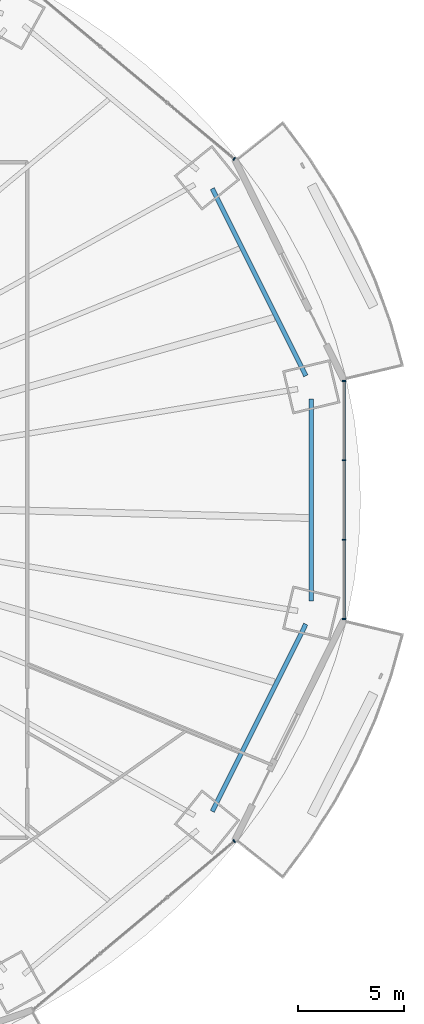
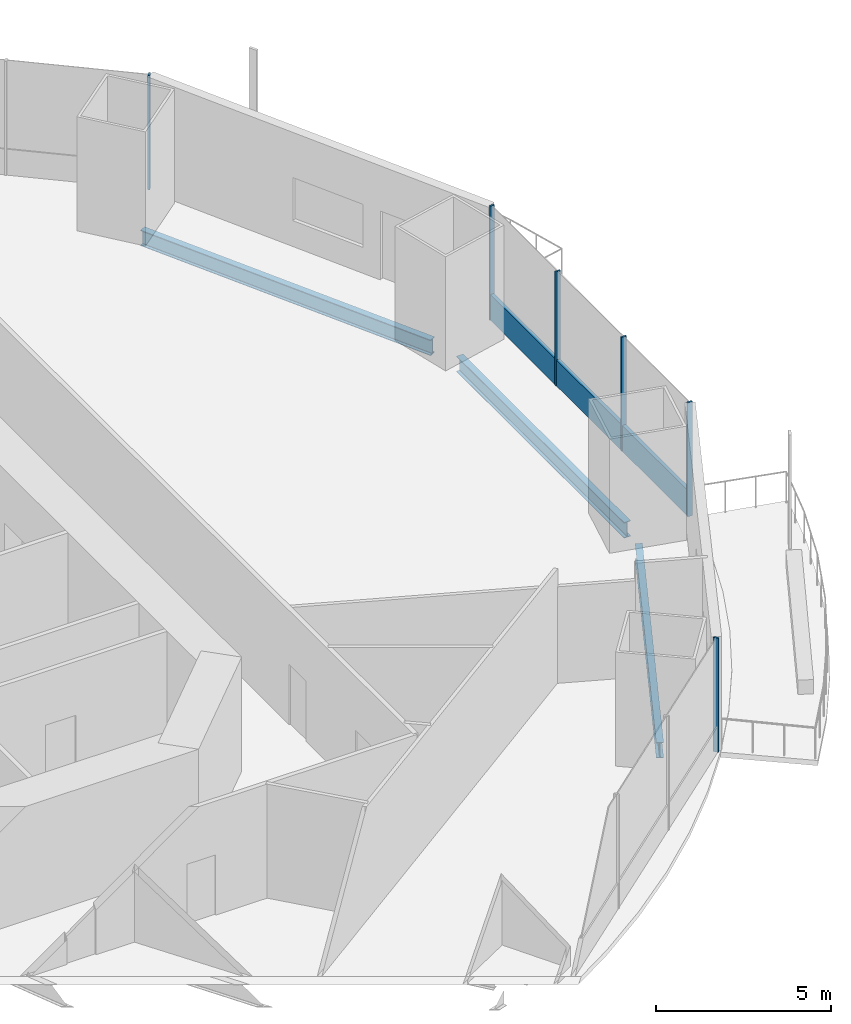
# One storey, part 11 of 22: 7 members, 3 beams, 3 elements without a shape of their own.
"""IFC4 building model written with IfcOpenShell, lengths in metres."""

from ifc_helpers import new_model, si_unit, direction, frame, origin, origin_2d, place, context, subcontext, project, spatial, rectangle, i_section, extrude, material, material_profile, profile_set, type_object, element, aggregate, save


model = new_model("IFC4")

# Units and contexts
model_context = context("Model", 3, precision=1e-05, world=origin(), true_north=direction((0.0, 1.0)))
body_context = subcontext(model_context, "Body", "Model", "MODEL_VIEW")
ifc_project = project(units=[si_unit("LENGTHUNIT", "METRE"), si_unit("AREAUNIT", "SQUARE_METRE"), si_unit("VOLUMEUNIT", "CUBIC_METRE"), si_unit("PLANEANGLEUNIT", "RADIAN"), si_unit("MASSUNIT", "GRAM", prefix="KILO")], contexts=[model_context])

# Site, building, storey
site_placement = place(None, origin())
site = spatial("IfcSite", under=ifc_project, at=site_placement, CompositionType="ELEMENT")
building_placement = place(site_placement, origin())
building = spatial("IfcBuilding", under=site, at=building_placement, Name="Marenthal Gate Tower", CompositionType="ELEMENT")
storey_placement = place(building_placement, frame((0.0, 0.0, 103.550048828125)))
storey = spatial("IfcBuildingStorey", under=building, at=storey_placement, Name="L21", CompositionType="ELEMENT", Elevation=103.550048828125)

# Curtain wall, member
ifc_material_1 = material(Name="Aluminium and glass", Category="aluminium")
curtain_wall_type = type_object("IfcCurtainWallType", Name="Curtain wall typical low", PredefinedType="NOTDEFINED", material=ifc_material_1)
curtain_wall_1_placement = place(storey_placement, origin())
curtain_wall_1 = element("IfcCurtainWall", 1, at=curtain_wall_1_placement, inside=storey, type_object=curtain_wall_type, Name="Curtain wall L21 bay 2", PredefinedType="NOTDEFINED")
ifc_material_2 = material(Name="Aluminium", Category="aluminium")
ifc_material_profile_1 = material_profile(ifc_material_2, rectangle(XDim=0.159912109375, YDim=0.06005859375, at=origin_2d()), Name="60x160 aluminium mullion")
ifc_profile_set_1 = profile_set([ifc_material_profile_1], Name="Aluminium")
member_type_1 = type_object("IfcMemberType", Name="Mullion 60x160 typical low", PredefinedType="MULLION", material=ifc_profile_set_1)
member_1_placement = place(storey_placement, frame((28.802490234375, 16.16015625, 0.0), z_axis=(0.0, 0.0, 1.0), x_axis=(-0.642307658805, -0.766446913648, 0.0)))
member_1 = element("IfcMember", 2, at=member_1_placement, type_object=member_type_1, Name="Mullion L21 bay 2.1", PredefinedType="MULLION", context=body_context, shape_type="SweptSolid", body=[
    extrude(rectangle(XDim=0.159912109375, YDim=0.06005859375, at=origin_2d()), origin(), (0.0, 0.0, 1.0), 3.969970703125),
])
aggregate(curtain_wall_1, [member_1])

curtain_wall_2_placement = place(storey_placement, origin())
curtain_wall_2 = element("IfcCurtainWall", 3, at=curtain_wall_2_placement, inside=storey, type_object=curtain_wall_type, Name="Curtain wall L21 bay 14", PredefinedType="NOTDEFINED")
member_2_placement = place(storey_placement, frame((28.802490234375, -16.160400390625, 0.0), z_axis=(0.0, 0.0, 1.0), x_axis=(-0.642307658805, 0.766446913648, 0.0)))
member_2 = element("IfcMember", 4, at=member_2_placement, type_object=member_type_1, Name="Mullion L21 bay 14.4", PredefinedType="MULLION", context=body_context, shape_type="SweptSolid", body=[
    extrude(rectangle(XDim=0.159912109375, YDim=0.06005859375, at=origin_2d()), origin(), (0.0, 0.0, 1.0), 3.969970703125),
])
aggregate(curtain_wall_2, [member_2])

# Curtain wall, members
curtain_wall_3_placement = place(storey_placement, origin())
curtain_wall_3 = element("IfcCurtainWall", 5, at=curtain_wall_3_placement, inside=storey, type_object=curtain_wall_type, Name="Curtain wall L21 bay 16", PredefinedType="NOTDEFINED")
member_3_placement = place(storey_placement, frame((34.001953125, -5.637939453125, 0.0), z_axis=(0.0, 0.0, 1.0), x_axis=(-1.0, 0.0, 0.0)))
member_3 = element("IfcMember", 6, at=member_3_placement, type_object=member_type_1, Name="Mullion L21 bay 16.1", PredefinedType="MULLION", context=body_context, shape_type="SweptSolid", body=[
    extrude(rectangle(XDim=0.159912109375, YDim=0.06005859375, at=origin_2d()), origin(), (0.0, 0.0, 1.0), 3.969970703125),
])
member_4_placement = place(storey_placement, frame((34.001953125, -1.87939453125, 0.0), z_axis=(0.0, 0.0, 1.0), x_axis=(-1.0, 0.0, 0.0)))
member_4 = element("IfcMember", 7, at=member_4_placement, type_object=member_type_1, Name="Mullion L21 bay 16.2", PredefinedType="MULLION", context=body_context, shape_type="SweptSolid", body=[
    extrude(rectangle(XDim=0.159912109375, YDim=0.06005859375, at=origin_2d()), origin(), (0.0, 0.0, 1.0), 3.969970703125),
])
member_5_placement = place(storey_placement, frame((34.001953125, 1.87939453125, 0.0), z_axis=(0.0, 0.0, 1.0), x_axis=(-1.0, 0.0, 0.0)))
member_5 = element("IfcMember", 8, at=member_5_placement, type_object=member_type_1, Name="Mullion L21 bay 16.3", PredefinedType="MULLION", context=body_context, shape_type="SweptSolid", body=[
    extrude(rectangle(XDim=0.159912109375, YDim=0.06005859375, at=origin_2d()), origin(), (0.0, 0.0, 1.0), 3.969970703125),
])
member_6_placement = place(storey_placement, frame((34.001953125, 5.637939453125, 0.0), z_axis=(0.0, 0.0, 1.0), x_axis=(-1.0, 0.0, 0.0)))
member_6 = element("IfcMember", 9, at=member_6_placement, type_object=member_type_1, Name="Mullion L21 bay 16.4", PredefinedType="MULLION", context=body_context, shape_type="SweptSolid", body=[
    extrude(rectangle(XDim=0.159912109375, YDim=0.06005859375, at=origin_2d()), origin(), (0.0, 0.0, 1.0), 3.969970703125),
])
ifc_material_3 = material(Name="Aluminium", Category="aluminium")
ifc_material_profile_2 = material_profile(ifc_material_3, rectangle(XDim=0.1201171875, YDim=0.89990234375, at=origin_2d()), Name="120x900 aluminium transom")
ifc_profile_set_2 = profile_set([ifc_material_profile_2], Name="Aluminium")
member_type_2 = type_object("IfcMemberType", Name="Transom 120x900 typical low", PredefinedType="USERDEFINED", material=ifc_profile_set_2)
member_7_placement = place(storey_placement, frame((34.001953125, -5.60791015625, 0.449951171875), z_axis=(0.0, 1.0, 0.0), x_axis=(-1.0, 0.0, 0.0)))
member_7 = element("IfcMember", 10, at=member_7_placement, type_object=member_type_2, Name="Transom L21 bay 16", ObjectType="TRANSOM", PredefinedType="USERDEFINED", context=body_context, shape_type="SweptSolid", body=[
    extrude(rectangle(XDim=0.1201171875, YDim=0.89990234375, at=origin_2d()), origin(), (0.0, 0.0, 1.0), 11.2158203125),
])
aggregate(curtain_wall_3, [member_3, member_4, member_5, member_6, member_7])

# Beams
ifc_material_4 = material(Name="Steel S355", Category="steel")
ifc_material_profile_3 = material_profile(ifc_material_4, i_section(OverallWidth=0.2119140625, OverallDepth=0.5439453125, WebThickness=0.01318359375, FlangeThickness=0.021240234375, FilletRadius=0.0126953125, at=origin_2d()), Name="W530X123")
ifc_profile_set_3 = profile_set([ifc_material_profile_3], Name="Steel S355")
beam_type = type_object("IfcBeamType", Name="W530X123 beam", PredefinedType="BEAM", material=ifc_profile_set_3)
for number, where, z_axis, x_axis, name in (
    (11, (32.1943359375, 5.876708984375, -0.4521484375), (-0.446405750938, 0.89483065746, 0.0), (-0.89483065746, -0.446405750938, 0.0), "BM-L21-41"),
    (12, (27.768310546875, -14.748779296875, -0.4521484375), (0.446405750938, 0.89483065746, 0.0), (-0.89483065746, 0.446405750938, 0.0), "BM-L21-55"),
):
    element("IfcBeam", number, at=place(storey_placement, frame(where, z_axis=z_axis, x_axis=x_axis)), inside=storey, type_object=beam_type, Name=name, PredefinedType="BEAM", context=body_context, shape_type="SweptSolid", body=[
        extrude(i_section(OverallWidth=0.2119140625, OverallDepth=0.5439453125, WebThickness=0.01318359375, FlangeThickness=0.021240234375, FilletRadius=0.0126953125, at=origin_2d()), origin(), (0.0, 0.0, 1.0), 9.914794921875),
    ])
beam_placement = place(storey_placement, frame((32.4521484375, -4.780029296875, -0.4521484375), z_axis=(0.0, 1.0, 0.0), x_axis=(-1.0, 0.0, 0.0)))
element("IfcBeam", 13, at=beam_placement, inside=storey, type_object=beam_type, Name="BM-L21-56", PredefinedType="BEAM", context=body_context, shape_type="SweptSolid", body=[
    extrude(i_section(OverallWidth=0.2119140625, OverallDepth=0.5439453125, WebThickness=0.01318359375, FlangeThickness=0.021240234375, FilletRadius=0.0126953125, at=origin_2d()), origin(), (0.0, 0.0, 1.0), 9.56005859375),
])

save(model, "model.ifc")
